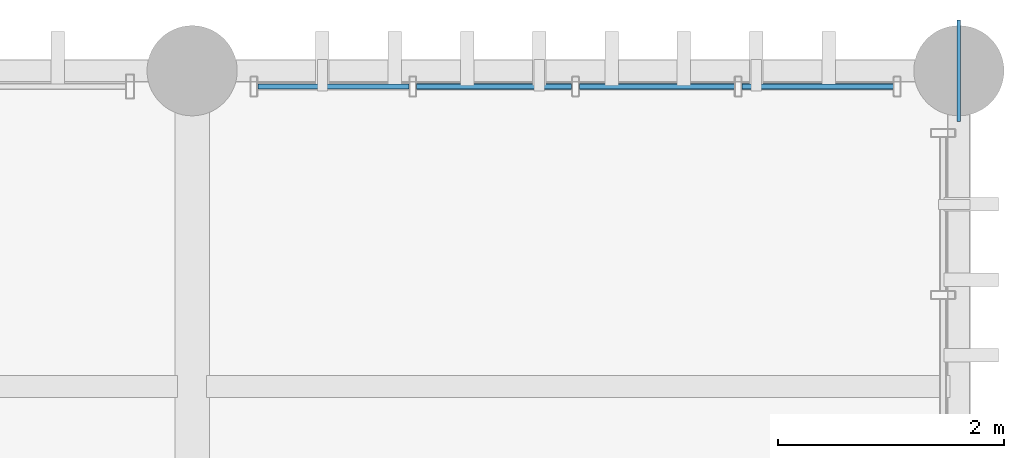
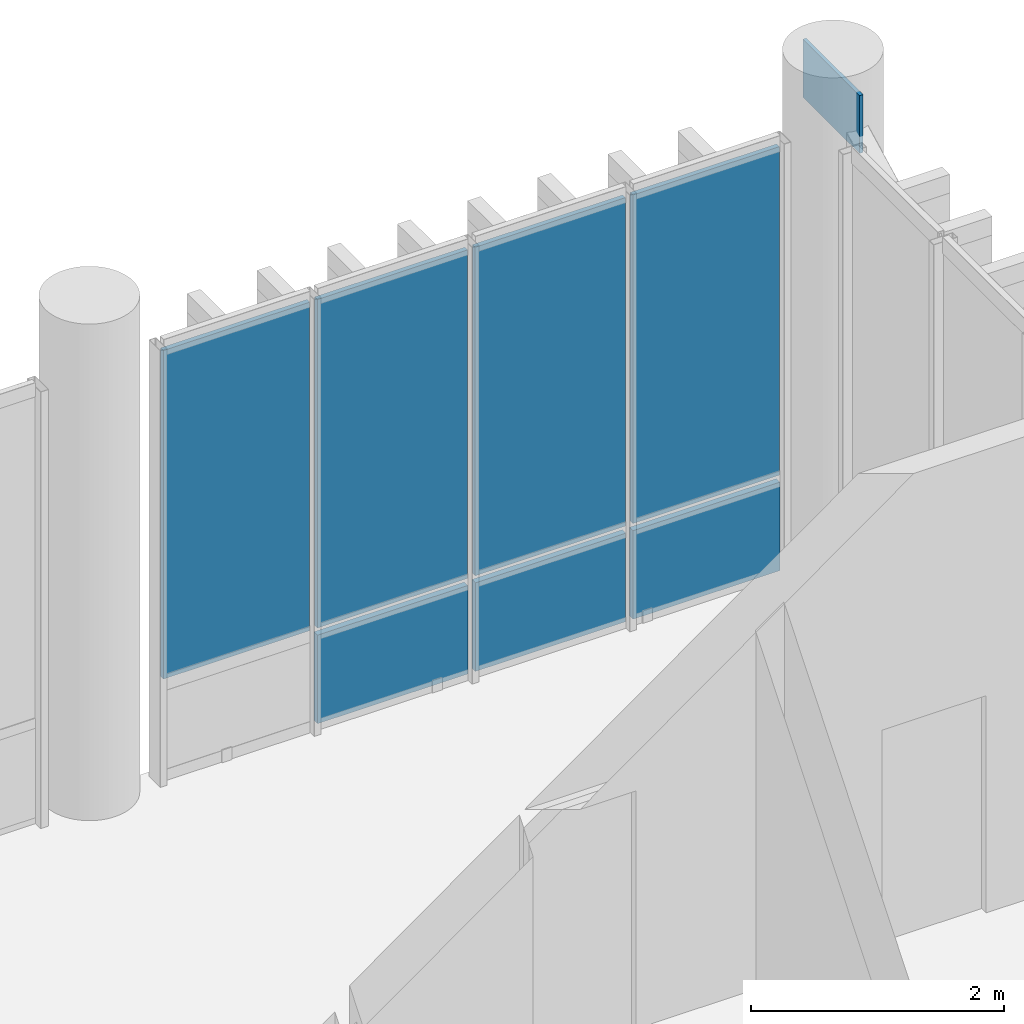
# One storey, part 75 of 94: 8 plates, 1 element without a shape of its own.
"""IFC4 building model written with IfcOpenShell, lengths in metres."""

from ifc_helpers import new_model, si_unit, direction, frame, frame_2d, origin_with_axes, origin_2d_with_axis, place, context, subcontext, project, spatial, rectangle, extrude, material, layer, layer_set, type_object, element, aggregate, save


model = new_model("IFC4")

# Units and contexts
model_context = context("Model", 3, precision=1e-05, world=origin_with_axes(), true_north=direction((0.0, 1.0)))
body_context = subcontext(model_context, "Body", "Model", "MODEL_VIEW")
ifc_project = project(units=[si_unit("LENGTHUNIT", "METRE"), si_unit("AREAUNIT", "SQUARE_METRE"), si_unit("VOLUMEUNIT", "CUBIC_METRE"), si_unit("PLANEANGLEUNIT", "RADIAN"), si_unit("MASSUNIT", "GRAM", prefix="KILO"), si_unit("THERMODYNAMICTEMPERATUREUNIT", "KELVIN")], contexts=[model_context])

# Site, building, storey
site_placement = place(None, origin_with_axes())
site = spatial("IfcSite", under=ifc_project, at=site_placement, CompositionType="ELEMENT")
building_placement = place(site_placement, origin_with_axes())
building = spatial("IfcBuilding", under=site, at=building_placement, Name="Montbau Bow Law Courts", CompositionType="ELEMENT")
storey_placement = place(building_placement, frame((0.0, 0.0, 15.6), z_axis=(0.0, 0.0, 1.0), x_axis=(1.0, 0.0, 0.0)))
storey = spatial("IfcBuildingStorey", under=building, at=storey_placement, Name="L03", CompositionType="ELEMENT", Elevation=15.6)

# Curtain wall, plates
ifc_material_1 = material(Name="Thermally Broken Extruded Aluminium AA 6063-T6", Category="aluminium")
curtain_wall_type = type_object("IfcCurtainWallType", Name="CW-SLT-01", PredefinedType="NOTDEFINED", material=ifc_material_1)
curtain_wall_placement = place(None, frame((163.115, 103.06, 15.6), z_axis=(0.0, 0.0, 1.0), x_axis=(1.0, 0.0, 0.0)))
curtain_wall = element("IfcCurtainWall", 1, at=curtain_wall_placement, inside=storey, type_object=curtain_wall_type, Name="CW-L03-316:cw_0316", PredefinedType="NOTDEFINED")
ifc_material_2 = material(Name="Triple-Glazed Low-E Argon Insulating Glass Unit", Category="glass")
ifc_layer_1 = layer(ifc_material_2, 0.044, Name="Curtain Panel", Category="glass")
ifc_layer_set_1 = layer_set([ifc_layer_1], Name="Triple-Glazed Low-E Argon Insulating Glass Unit")
plate_type_1 = type_object("IfcPlateType", Name="PL-CWP-01", PredefinedType="CURTAIN_PANEL", material=ifc_layer_set_1)
plate_1_placement = place(None, frame((163.183, 103.06, 16.582), z_axis=(0.0, -1.0, 0.0), x_axis=(1.0, 0.0, 0.0)))
plate_1 = element("IfcPlate", 2, at=plate_1_placement, type_object=plate_type_1, Name="CW-L03-316-P01-2:cw_0316_P01_2", PredefinedType="CURTAIN_PANEL", context=body_context, shape_type="SweptSolid", body=[
    extrude(rectangle(XDim=1.339, YDim=3.176, at=frame_2d((0.6695, 1.588), x_axis=(1.0, 0.0))), frame((0.0, 0.0, -0.022), z_axis=(0.0, 0.0, 1.0), x_axis=(1.0, 0.0, 0.0)), (0.0, 0.0, 1.0), 0.044),
])
plate_2_placement = place(None, frame((164.591, 103.06, 16.582), z_axis=(0.0, -1.0, 0.0), x_axis=(1.0, 0.0, 0.0)))
plate_2 = element("IfcPlate", 3, at=plate_2_placement, type_object=plate_type_1, Name="CW-L03-316-P02-2:cw_0316_P02_2", PredefinedType="CURTAIN_PANEL", context=body_context, shape_type="SweptSolid", body=[
    extrude(rectangle(XDim=1.374, YDim=3.176, at=frame_2d((0.687, 1.588), x_axis=(1.0, 0.0))), frame((0.0, 0.0, -0.022), z_axis=(0.0, 0.0, 1.0), x_axis=(1.0, 0.0, 0.0)), (0.0, 0.0, 1.0), 0.044),
])
plate_3_placement = place(None, frame((166.034, 103.06, 16.582), z_axis=(0.0, -1.0, 0.0), x_axis=(1.0, 0.0, 0.0)))
plate_3 = element("IfcPlate", 4, at=plate_3_placement, type_object=plate_type_1, Name="CW-L03-316-P03-2:cw_0316_P03_2", PredefinedType="CURTAIN_PANEL", context=body_context, shape_type="SweptSolid", body=[
    extrude(rectangle(XDim=1.374, YDim=3.176, at=frame_2d((0.687, 1.588), x_axis=(1.0, 0.0))), frame((0.0, 0.0, -0.022), z_axis=(0.0, 0.0, 1.0), x_axis=(1.0, 0.0, 0.0)), (0.0, 0.0, 1.0), 0.044),
])
plate_4_placement = place(None, frame((167.476, 103.06, 16.582), z_axis=(0.0, -1.0, 0.0), x_axis=(1.0, 0.0, 0.0)))
plate_4 = element("IfcPlate", 5, at=plate_4_placement, type_object=plate_type_1, Name="CW-L03-316-P04-2:cw_0316_P04_2", PredefinedType="CURTAIN_PANEL", context=body_context, shape_type="SweptSolid", body=[
    extrude(rectangle(XDim=1.342, YDim=3.176, at=frame_2d((0.671, 1.588), x_axis=(1.0, 0.0))), frame((0.0, 0.0, -0.022), z_axis=(0.0, 0.0, 1.0), x_axis=(1.0, 0.0, 0.0)), (0.0, 0.0, 1.0), 0.044),
])
ifc_material_3 = material(Name="Insulated Ceramic-Frit Spandrel Glazing Unit", Category="glass")
ifc_layer_2 = layer(ifc_material_3, 0.056, Name="Curtain Panel", Category="glass")
ifc_layer_set_2 = layer_set([ifc_layer_2], Name="Insulated Ceramic-Frit Spandrel Glazing Unit")
plate_type_2 = type_object("IfcPlateType", Name="PL-CWP-02", PredefinedType="CURTAIN_PANEL", material=ifc_layer_set_2)
plate_5_placement = place(None, frame((164.591, 103.06, 15.662), z_axis=(0.0, -1.0, 0.0), x_axis=(1.0, 0.0, 0.0)))
plate_5 = element("IfcPlate", 6, at=plate_5_placement, type_object=plate_type_2, Name="CW-L03-316-P02-1:cw_0316_P02_1", PredefinedType="CURTAIN_PANEL", context=body_context, shape_type="SweptSolid", body=[
    extrude(rectangle(XDim=1.374, YDim=0.856, at=frame_2d((0.687, 0.428), x_axis=(1.0, 0.0))), frame((0.0, 0.0, -0.028), z_axis=(0.0, 0.0, 1.0), x_axis=(1.0, 0.0, 0.0)), (0.0, 0.0, 1.0), 0.056),
])
plate_6_placement = place(None, frame((166.034, 103.06, 15.662), z_axis=(0.0, -1.0, 0.0), x_axis=(1.0, 0.0, 0.0)))
plate_6 = element("IfcPlate", 7, at=plate_6_placement, type_object=plate_type_2, Name="CW-L03-316-P03-1:cw_0316_P03_1", PredefinedType="CURTAIN_PANEL", context=body_context, shape_type="SweptSolid", body=[
    extrude(rectangle(XDim=1.374, YDim=0.856, at=frame_2d((0.687, 0.428), x_axis=(1.0, 0.0))), frame((0.0, 0.0, -0.028), z_axis=(0.0, 0.0, 1.0), x_axis=(1.0, 0.0, 0.0)), (0.0, 0.0, 1.0), 0.056),
])
plate_7_placement = place(None, frame((167.476, 103.06, 15.662), z_axis=(0.0, -1.0, 0.0), x_axis=(1.0, 0.0, 0.0)))
plate_7 = element("IfcPlate", 8, at=plate_7_placement, type_object=plate_type_2, Name="CW-L03-316-P04-1:cw_0316_P04_1", PredefinedType="CURTAIN_PANEL", context=body_context, shape_type="SweptSolid", body=[
    extrude(rectangle(XDim=1.342, YDim=0.856, at=frame_2d((0.671, 0.428), x_axis=(1.0, 0.0))), frame((0.0, 0.0, -0.028), z_axis=(0.0, 0.0, 1.0), x_axis=(1.0, 0.0, 0.0)), (0.0, 0.0, 1.0), 0.056),
])
aggregate(curtain_wall, [plate_1, plate_5, plate_2, plate_6, plate_3, plate_7, plate_4])

# Plate
ifc_material_4 = material(Name="Steel CSA G40.21 Grade 350WT (350 MPa)", Category="steel")
ifc_layer_3 = layer(ifc_material_4, 0.032, Name="Gusset Plate", Category="steel")
ifc_layer_set_3 = layer_set([ifc_layer_3], Name="Steel CSA G40.21 Grade 350WT (350 MPa)")
plate_type_3 = type_object("IfcPlateType", Name="PL-GUS-01", PredefinedType="USERDEFINED", material=ifc_layer_set_3)
plate_8_placement = place(None, frame((169.4, 103.2, 19.667), z_axis=(0.0, 0.0, 1.0), x_axis=(0.0, 1.0, 0.0)))
element("IfcPlate", 9, at=plate_8_placement, inside=storey, type_object=plate_type_3, Name="BGP-L03-171:plt_0202", ObjectType="GUSSET_PLATE", PredefinedType="USERDEFINED", context=body_context, shape_type="SweptSolid", body=[
    extrude(rectangle(XDim=0.9, YDim=0.032, at=origin_2d_with_axis()), origin_with_axes(), (0.0, 0.0, 1.0), 0.56),
])

save(model, "model.ifc")
